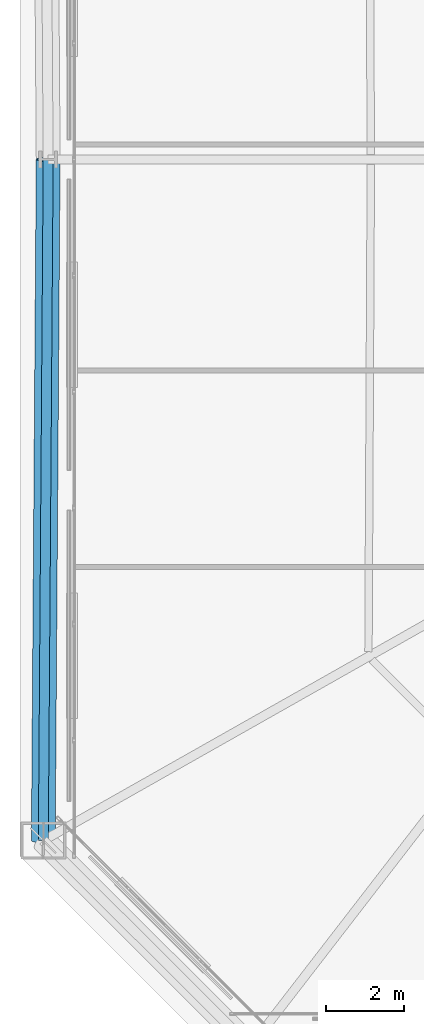
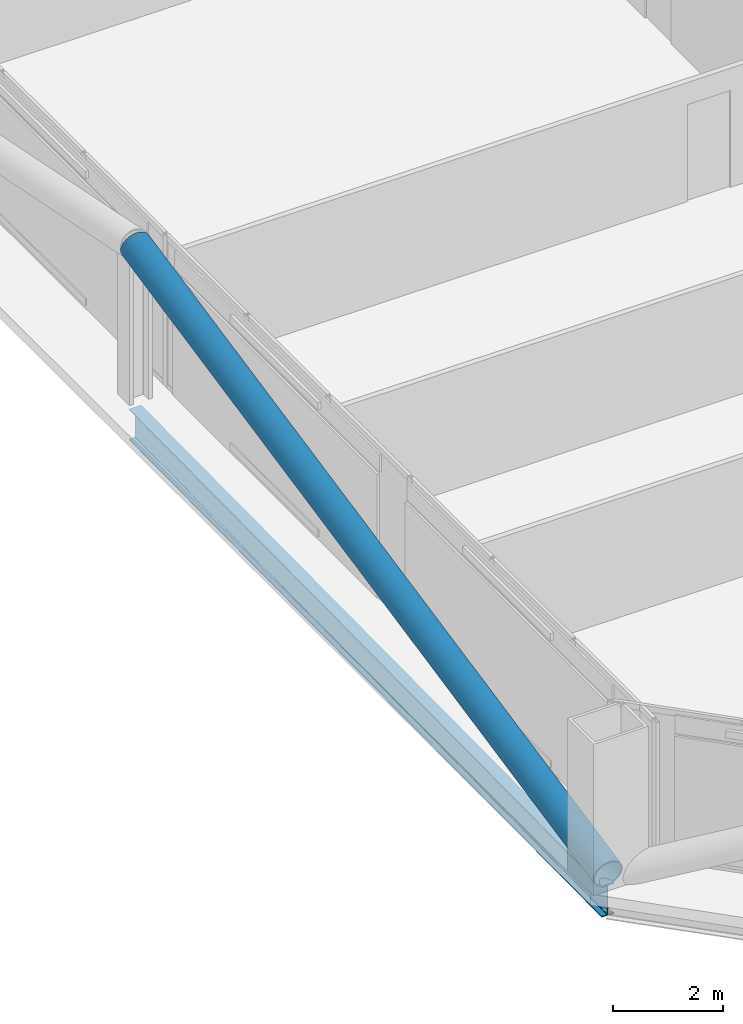
# One storey, part 6 of 50: 1 beam, 1 member.
"""IFC4 building model written with IfcOpenShell, lengths in metres."""

from ifc_helpers import new_model, si_unit, direction, frame, origin, origin_2d, place, context, subcontext, project, spatial, hollow_circle, i_section, extrude, material, material_profile, profile_set, type_object, element, save


model = new_model("IFC4")

# Units and contexts
model_context = context("Model", 3, precision=1e-05, world=origin(), true_north=direction((0.0, 1.0)))
body_context = subcontext(model_context, "Body", "Model", "MODEL_VIEW")
ifc_project = project(units=[si_unit("LENGTHUNIT", "METRE"), si_unit("AREAUNIT", "SQUARE_METRE"), si_unit("VOLUMEUNIT", "CUBIC_METRE"), si_unit("PLANEANGLEUNIT", "RADIAN"), si_unit("MASSUNIT", "GRAM", prefix="KILO")], contexts=[model_context])

# Site, building, storey
site_placement = place(None, origin())
site = spatial("IfcSite", under=ifc_project, at=site_placement, CompositionType="ELEMENT")
building_placement = place(site_placement, origin())
building = spatial("IfcBuilding", under=site, at=building_placement, Name="Caelvoria Tower", CompositionType="ELEMENT")
storey_placement = place(building_placement, frame((0.0, 0.0, 71.199951171875)))
storey = spatial("IfcBuildingStorey", under=building, at=storey_placement, Name="L18", CompositionType="ELEMENT", Elevation=71.199951171875)

# Member
ifc_material_1 = material(Name="Structural Steel ASTM A572 Gr.50", Category="steel")
ifc_material_profile_1 = material_profile(ifc_material_1, hollow_circle(Radius=0.304931640625, WallThickness=0.02490234375, at=origin_2d()), Name="Structural Steel ASTM A572 Gr.50")
ifc_profile_set_1 = profile_set([ifc_material_profile_1], Name="CHS610X25 - Structural Steel ASTM A572 Gr.50")
member_type = type_object("IfcMemberType", Name="Lower Perimeter Mega Brace CHS610X25", PredefinedType="BRACE", material=ifc_profile_set_1)
member_placement = place(storey_placement, frame((20.3955078125, 14.6044921875, 0.0), z_axis=(0.007027615414, 0.981826771495, 0.189649158705), x_axis=(-0.999974384694, 0.007157510473, 0.0)))
element("IfcMember", 1, at=member_placement, inside=storey, type_object=member_type, Name="Perimeter Cardinal Mega Brace L18 WB", PredefinedType="BRACE", context=body_context, shape_type="SweptSolid", body=[
    extrude(hollow_circle(Radius=0.304931640625, WallThickness=0.02490234375, at=origin_2d()), origin(), (0.0, 0.0, 1.0), 17.717529296875),
])

# Beam
ifc_material_2 = material(Name="Structural Steel ASTM A992 Gr.50", Category="steel")
ifc_material_profile_2 = material_profile(ifc_material_2, i_section(OverallWidth=0.25390625, OverallDepth=0.68798828125, WebThickness=0.01318359375, FlangeThickness=0.02099609375, FilletRadius=0.01904296875, at=origin_2d()), Name="Structural Steel ASTM A992 Gr.50")
ifc_profile_set_2 = profile_set([ifc_material_profile_2], Name="W690X152 - Structural Steel ASTM A992 Gr.50")
beam_type = type_object("IfcBeamType", Name="Perimeter Spandrel Girder W690X152", PredefinedType="BEAM", material=ifc_profile_set_2)
beam_placement = place(storey_placement, frame((20.52001953125, 32.0, -0.583984375), z_axis=(-0.007157510473, -0.999974384694, 0.0), x_axis=(0.999974384694, -0.007157510473, 0.0)))
element("IfcBeam", 2, at=beam_placement, inside=storey, type_object=beam_type, Name="Perimeter Spandrel Girder L18-10", PredefinedType="BEAM", context=body_context, shape_type="SweptSolid", body=[
    extrude(i_section(OverallWidth=0.25390625, OverallDepth=0.68798828125, WebThickness=0.01318359375, FlangeThickness=0.02099609375, FilletRadius=0.01904296875, at=origin_2d()), origin(), (0.0, 0.0, 1.0), 17.39599609375),
])

save(model, "model.ifc")
